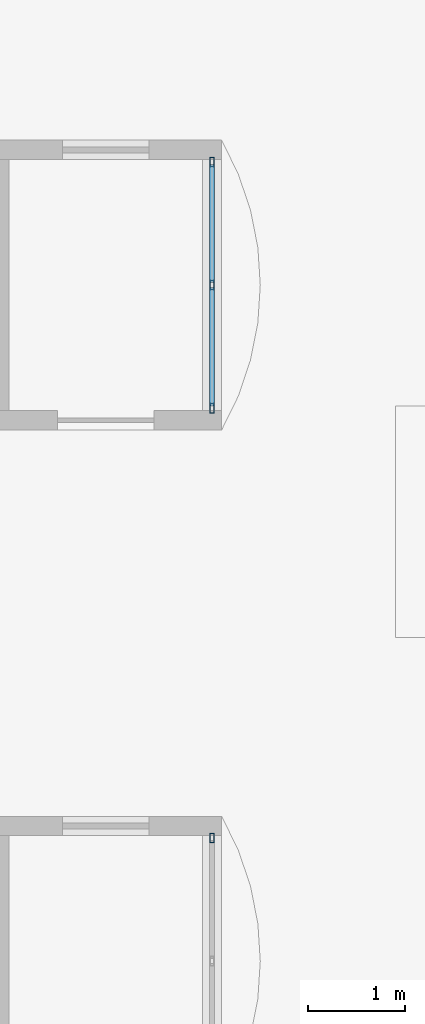
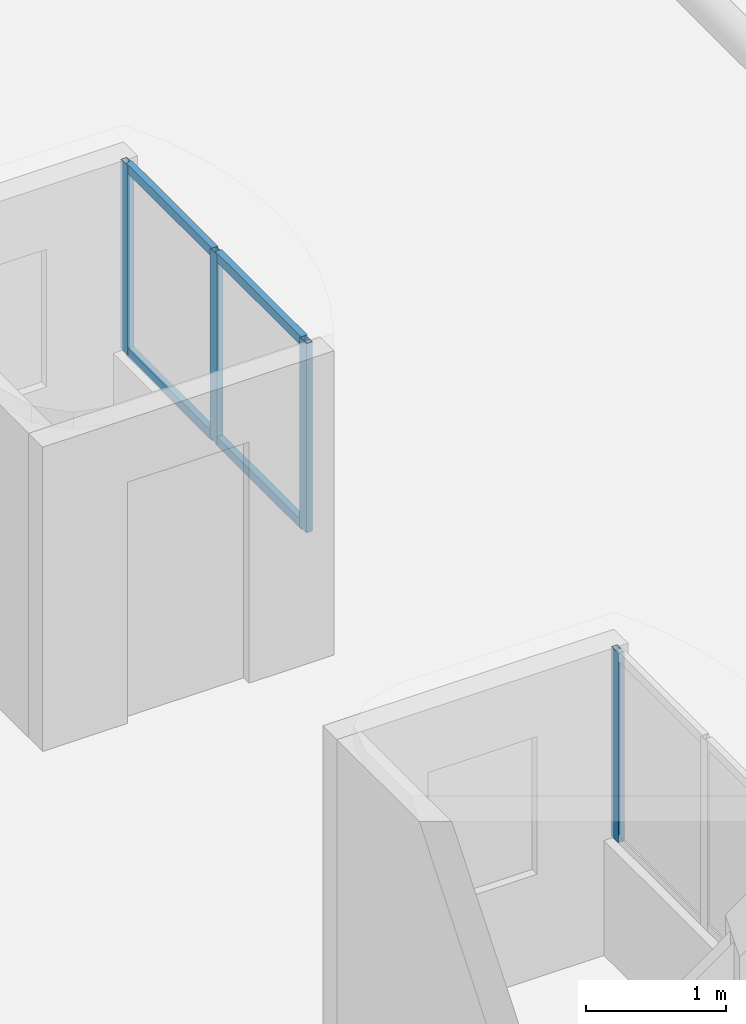
# One storey, part 43 of 212: 8 members, 2 elements without a shape of their own.
"""IFC4 building model written with IfcOpenShell, lengths in metres."""

from ifc_helpers import new_model, si_unit, direction, frame, origin, origin_2d, place, context, subcontext, project, spatial, hollow_rectangle, extrude, material, material_profile, profile_set, type_object, element, aggregate, save


model = new_model("IFC4")

# Units and contexts
model_context = context("Model", 3, precision=1e-05, world=origin(), true_north=direction((0.0, 1.0)))
body_context = subcontext(model_context, "Body", "Model", "MODEL_VIEW")
ifc_project = project(units=[si_unit("LENGTHUNIT", "METRE"), si_unit("AREAUNIT", "SQUARE_METRE"), si_unit("VOLUMEUNIT", "CUBIC_METRE"), si_unit("PLANEANGLEUNIT", "RADIAN"), si_unit("MASSUNIT", "GRAM", prefix="KILO")], contexts=[model_context])

# Site, building, storey
site_placement = place(None, origin())
site = spatial("IfcSite", under=ifc_project, at=site_placement, CompositionType="ELEMENT")
building_placement = place(site_placement, origin())
building = spatial("IfcBuilding", under=site, at=building_placement, Name="Catenary Quay Ferry Terminal", CompositionType="ELEMENT")
storey_placement = place(building_placement, origin())
storey = spatial("IfcBuildingStorey", under=building, at=storey_placement, Name="L00", CompositionType="ELEMENT", Elevation=0.0)

# Curtain wall, member
ifc_material_1 = material(Name="Aluminium and glass", Category="aluminium")
curtain_wall_type = type_object("IfcCurtainWallType", Name="CWV", PredefinedType="NOTDEFINED", material=ifc_material_1)
curtain_wall_1_placement = place(storey_placement, origin())
curtain_wall_1 = element("IfcCurtainWall", 1, at=curtain_wall_1_placement, inside=storey, type_object=curtain_wall_type, Name="Booth curtain wall CW164", PredefinedType="NOTDEFINED")
ifc_material_2 = material(Name="Aluminium", Category="aluminium")
ifc_material_profile_1 = material_profile(ifc_material_2, hollow_rectangle(XDim=0.050048828125, YDim=0.10009765625, WallThickness=0.0048828125, at=origin_2d()), Name="MU1")
ifc_profile_set_1 = profile_set([ifc_material_profile_1], Name="Aluminium")
member_type_1 = type_object("IfcMemberType", Name="MU1", PredefinedType="MULLION", material=ifc_profile_set_1)
member_1_placement = place(storey_placement, frame((13.699951171875, 30.324951171875, 1.0), z_axis=(0.0, 0.0, 1.0), x_axis=(-1.0, 0.0, 0.0)))
member_1 = element("IfcMember", 2, at=member_1_placement, type_object=member_type_1, Name="CW164 mullion 3", PredefinedType="MULLION", context=body_context, shape_type="SweptSolid", body=[
    extrude(hollow_rectangle(XDim=0.050048828125, YDim=0.10009765625, WallThickness=0.0048828125, at=origin_2d()), origin(), (0.0, 0.0, 1.0), 1.64990234375),
])
aggregate(curtain_wall_1, [member_1])

# Curtain wall, members
curtain_wall_2_placement = place(storey_placement, origin())
curtain_wall_2 = element("IfcCurtainWall", 3, at=curtain_wall_2_placement, inside=storey, type_object=curtain_wall_type, Name="Booth curtain wall CW165", PredefinedType="NOTDEFINED")
member_2_placement = place(storey_placement, frame((13.699951171875, 34.77490234375, 1.0), z_axis=(0.0, 0.0, 1.0), x_axis=(-1.0, 0.0, 0.0)))
member_2 = element("IfcMember", 4, at=member_2_placement, type_object=member_type_1, Name="CW165 mullion 1", PredefinedType="MULLION", context=body_context, shape_type="SweptSolid", body=[
    extrude(hollow_rectangle(XDim=0.050048828125, YDim=0.10009765625, WallThickness=0.0048828125, at=origin_2d()), origin(), (0.0, 0.0, 1.0), 1.64990234375),
])
member_3_placement = place(storey_placement, frame((13.699951171875, 36.050048828125, 1.0), z_axis=(0.0, 0.0, 1.0), x_axis=(-1.0, 0.0, 0.0)))
member_3 = element("IfcMember", 5, at=member_3_placement, type_object=member_type_1, Name="CW165 mullion 2", PredefinedType="MULLION", context=body_context, shape_type="SweptSolid", body=[
    extrude(hollow_rectangle(XDim=0.050048828125, YDim=0.10009765625, WallThickness=0.0048828125, at=origin_2d()), origin(), (0.0, 0.0, 1.0), 1.64990234375),
])
member_4_placement = place(storey_placement, frame((13.699951171875, 37.324951171875, 1.0), z_axis=(0.0, 0.0, 1.0), x_axis=(-1.0, 0.0, 0.0)))
member_4 = element("IfcMember", 6, at=member_4_placement, type_object=member_type_1, Name="CW165 mullion 3", PredefinedType="MULLION", context=body_context, shape_type="SweptSolid", body=[
    extrude(hollow_rectangle(XDim=0.050048828125, YDim=0.10009765625, WallThickness=0.0048828125, at=origin_2d()), origin(), (0.0, 0.0, 1.0), 1.64990234375),
])
ifc_material_3 = material(Name="Aluminium", Category="aluminium")
ifc_material_profile_2 = material_profile(ifc_material_3, hollow_rectangle(XDim=0.050048828125, YDim=0.080078125, WallThickness=0.00390625, at=origin_2d()), Name="TR1")
ifc_profile_set_2 = profile_set([ifc_material_profile_2], Name="Aluminium")
member_type_2 = type_object("IfcMemberType", Name="TR1", PredefinedType="USERDEFINED", material=ifc_profile_set_2)
member_5_placement = place(storey_placement, frame((13.699951171875, 34.800048828125, 1.02490234375), z_axis=(0.0, 1.0, 0.0), x_axis=(-1.0, 0.0, 0.0)))
member_5 = element("IfcMember", 7, at=member_5_placement, type_object=member_type_2, Name="CW165 transom 1.1", ObjectType="TRANSOM", PredefinedType="USERDEFINED", context=body_context, shape_type="SweptSolid", body=[
    extrude(hollow_rectangle(XDim=0.050048828125, YDim=0.080078125, WallThickness=0.00390625, at=origin_2d()), origin(), (0.0, 0.0, 1.0), 1.224853515625),
])
member_6_placement = place(storey_placement, frame((13.699951171875, 34.800048828125, 2.625), z_axis=(0.0, 1.0, 0.0), x_axis=(-1.0, 0.0, 0.0)))
member_6 = element("IfcMember", 8, at=member_6_placement, type_object=member_type_2, Name="CW165 transom 1.2", ObjectType="TRANSOM", PredefinedType="USERDEFINED", context=body_context, shape_type="SweptSolid", body=[
    extrude(hollow_rectangle(XDim=0.050048828125, YDim=0.080078125, WallThickness=0.00390625, at=origin_2d()), origin(), (0.0, 0.0, 1.0), 1.224853515625),
])
member_7_placement = place(storey_placement, frame((13.699951171875, 36.074951171875, 1.02490234375), z_axis=(0.0, 1.0, 0.0), x_axis=(-1.0, 0.0, 0.0)))
member_7 = element("IfcMember", 9, at=member_7_placement, type_object=member_type_2, Name="CW165 transom 2.1", ObjectType="TRANSOM", PredefinedType="USERDEFINED", context=body_context, shape_type="SweptSolid", body=[
    extrude(hollow_rectangle(XDim=0.050048828125, YDim=0.080078125, WallThickness=0.00390625, at=origin_2d()), origin(), (0.0, 0.0, 1.0), 1.22509765625),
])
member_8_placement = place(storey_placement, frame((13.699951171875, 36.074951171875, 2.625), z_axis=(0.0, 1.0, 0.0), x_axis=(-1.0, 0.0, 0.0)))
member_8 = element("IfcMember", 10, at=member_8_placement, type_object=member_type_2, Name="CW165 transom 2.2", ObjectType="TRANSOM", PredefinedType="USERDEFINED", context=body_context, shape_type="SweptSolid", body=[
    extrude(hollow_rectangle(XDim=0.050048828125, YDim=0.080078125, WallThickness=0.00390625, at=origin_2d()), origin(), (0.0, 0.0, 1.0), 1.22509765625),
])
aggregate(curtain_wall_2, [member_2, member_3, member_4, member_5, member_6, member_7, member_8])

save(model, "model.ifc")
